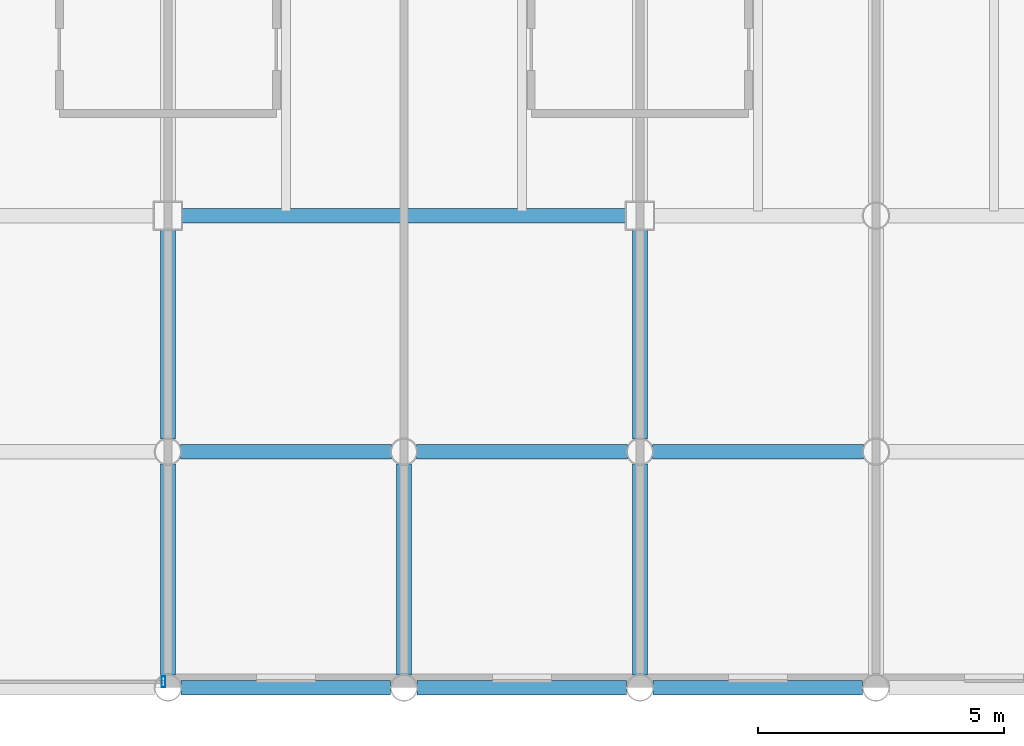
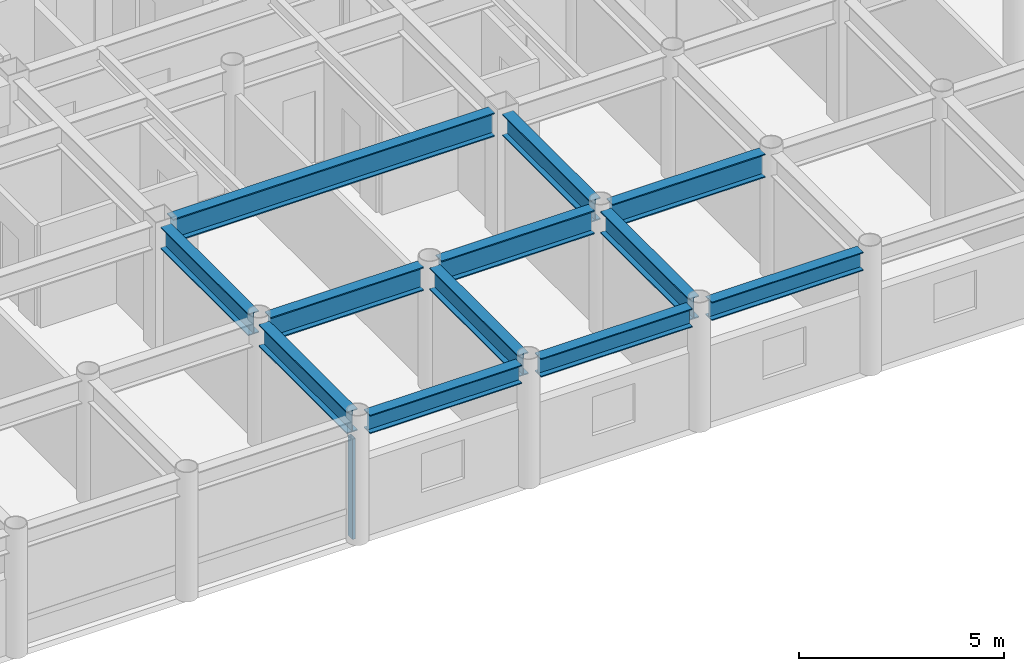
# One storey, part 8 of 23: 12 beams, 1 member, 1 element without a shape of its own.
"""IFC4 building model written with IfcOpenShell, lengths in metres."""

from ifc_helpers import new_model, si_unit, direction, frame, origin, origin_2d, place, context, subcontext, project, spatial, hollow_rectangle, i_section, extrude, material, layer, layer_set, material_profile, profile_set, type_object, element, aggregate, save


model = new_model("IFC4")

# Units and contexts
model_context = context("Model", 3, precision=1e-05, world=origin(), true_north=direction((0.0, 1.0)))
body_context = subcontext(model_context, "Body", "Model", "MODEL_VIEW")
ifc_project = project(units=[si_unit("LENGTHUNIT", "METRE"), si_unit("AREAUNIT", "SQUARE_METRE"), si_unit("VOLUMEUNIT", "CUBIC_METRE"), si_unit("PLANEANGLEUNIT", "RADIAN"), si_unit("MASSUNIT", "GRAM", prefix="KILO")], contexts=[model_context])

# Site, building, storey
site_placement = place(None, origin())
site = spatial("IfcSite", under=ifc_project, at=site_placement, CompositionType="ELEMENT")
building_placement = place(site_placement, origin())
building = spatial("IfcBuilding", under=site, at=building_placement, Name="Kallvorn Hotel Tower", CompositionType="ELEMENT")
storey_placement = place(building_placement, frame((0.0, 0.0, 195.35009765625)))
storey = spatial("IfcBuildingStorey", under=building, at=storey_placement, Name="L48", CompositionType="ELEMENT", Elevation=195.35009765625)

# Beams
ifc_material_1 = material(Name="Structural steel S355JR", Category="steel")
ifc_material_profile_1 = material_profile(ifc_material_1, i_section(OverallWidth=0.300048828125, OverallDepth=0.550048828125, WebThickness=0.014892578125, FlangeThickness=0.029052734375, at=origin_2d()), Name="HE 550 B")
ifc_profile_set_1 = profile_set([ifc_material_profile_1], Name="Structural steel S355JR")
beam_type_1 = type_object("IfcBeamType", Name="BM_HE550B", PredefinedType="SPANDREL", material=ifc_profile_set_1)
beam_1_placement = place(storey_placement, frame((5.069580078125, -24.0, 3.39501953125), z_axis=(1.0, 0.0, 0.0), x_axis=(0.0, 1.0, 0.0)))
element("IfcBeam", 1, at=beam_1_placement, inside=storey, type_object=beam_type_1, Name="L49 Perimeter Spandrel 157", PredefinedType="SPANDREL", context=body_context, shape_type="SweptSolid", body=[
    extrude(i_section(OverallWidth=0.300048828125, OverallDepth=0.550048828125, WebThickness=0.014892578125, FlangeThickness=0.029052734375, at=origin_2d()), origin(), (0.0, 0.0, 1.0), 4.260986328125),
])
beam_2_placement = place(storey_placement, frame((9.869384765625, -24.0, 3.39501953125), z_axis=(1.0, 0.0, 0.0), x_axis=(0.0, 1.0, 0.0)))
element("IfcBeam", 2, at=beam_2_placement, inside=storey, type_object=beam_type_1, Name="L49 Perimeter Spandrel 158", PredefinedType="SPANDREL", context=body_context, shape_type="SweptSolid", body=[
    extrude(i_section(OverallWidth=0.300048828125, OverallDepth=0.550048828125, WebThickness=0.014892578125, FlangeThickness=0.029052734375, at=origin_2d()), origin(), (0.0, 0.0, 1.0), 4.26123046875),
])
beam_3_placement = place(storey_placement, frame((14.66943359375, -24.0, 3.39501953125), z_axis=(1.0, 0.0, 0.0), x_axis=(0.0, 1.0, 0.0)))
element("IfcBeam", 3, at=beam_3_placement, inside=storey, type_object=beam_type_1, Name="L49 Perimeter Spandrel 159", PredefinedType="SPANDREL", context=body_context, shape_type="SweptSolid", body=[
    extrude(i_section(OverallWidth=0.300048828125, OverallDepth=0.550048828125, WebThickness=0.014892578125, FlangeThickness=0.029052734375, at=origin_2d()), origin(), (0.0, 0.0, 1.0), 4.260986328125),
])
ifc_material_2 = material(Name="Structural steel S355JR", Category="steel")
ifc_material_profile_2 = material_profile(ifc_material_2, i_section(OverallWidth=0.300048828125, OverallDepth=0.64990234375, WebThickness=0.01611328125, FlangeThickness=0.031005859375, at=origin_2d()), Name="HE 650 B")
ifc_profile_set_2 = profile_set([ifc_material_profile_2], Name="Structural steel S355JR")
beam_type_2 = type_object("IfcBeamType", Name="BM_HE650B", PredefinedType="BEAM", material=ifc_profile_set_2)
beam_4_placement = place(storey_placement, frame((4.800048828125, -23.74560546875, 3.344970703125), z_axis=(0.0, 1.0, 0.0), x_axis=(-1.0, 0.0, 0.0)))
element("IfcBeam", 4, at=beam_4_placement, inside=storey, type_object=beam_type_2, Name="L49 Primary Y-Girder 113", PredefinedType="BEAM", context=body_context, shape_type="SweptSolid", body=[
    extrude(i_section(OverallWidth=0.300048828125, OverallDepth=0.64990234375, WebThickness=0.01611328125, FlangeThickness=0.031005859375, at=origin_2d()), origin(), (0.0, 0.0, 1.0), 4.291015625),
])
beam_5_placement = place(storey_placement, frame((4.800048828125, -18.945556640625, 3.344970703125), z_axis=(0.0, 1.0, 0.0), x_axis=(-1.0, 0.0, 0.0)))
element("IfcBeam", 5, at=beam_5_placement, inside=storey, type_object=beam_type_2, Name="L49 Primary Y-Girder 114", PredefinedType="BEAM", context=body_context, shape_type="SweptSolid", body=[
    extrude(i_section(OverallWidth=0.300048828125, OverallDepth=0.64990234375, WebThickness=0.01611328125, FlangeThickness=0.031005859375, at=origin_2d()), origin(), (0.0, 0.0, 1.0), 4.2705078125),
])
for number, where, z_axis, x_axis, name in (
    (6, (9.60009765625, -23.74560546875, 3.344970703125), (0.0, 1.0, 0.0), (-1.0, 0.0, 0.0), "L49 Primary Y-Girder 118"),
    (7, (14.39990234375, -23.74560546875, 3.344970703125), (0.0, 1.0, 0.0), (-1.0, 0.0, 0.0), "L49 Primary Y-Girder 121"),
):
    element("IfcBeam", number, at=place(storey_placement, frame(where, z_axis=z_axis, x_axis=x_axis)), inside=storey, type_object=beam_type_2, Name=name, PredefinedType="BEAM", context=body_context, shape_type="SweptSolid", body=[
        extrude(i_section(OverallWidth=0.300048828125, OverallDepth=0.64990234375, WebThickness=0.01611328125, FlangeThickness=0.031005859375, at=origin_2d()), origin(), (0.0, 0.0, 1.0), 4.291015625),
    ])
beam_6_placement = place(storey_placement, frame((14.39990234375, -18.945556640625, 3.344970703125), z_axis=(0.0, 1.0, 0.0), x_axis=(-1.0, 0.0, 0.0)))
element("IfcBeam", 8, at=beam_6_placement, inside=storey, type_object=beam_type_2, Name="L49 Primary Y-Girder 122", PredefinedType="BEAM", context=body_context, shape_type="SweptSolid", body=[
    extrude(i_section(OverallWidth=0.300048828125, OverallDepth=0.64990234375, WebThickness=0.01611328125, FlangeThickness=0.031005859375, at=origin_2d()), origin(), (0.0, 0.0, 1.0), 4.2705078125),
])
ifc_material_3 = material(Name="Structural steel S355JR", Category="steel")
ifc_material_profile_3 = material_profile(ifc_material_3, i_section(OverallWidth=0.300048828125, OverallDepth=0.699951171875, WebThickness=0.01708984375, FlangeThickness=0.031982421875, at=origin_2d()), Name="HE 700 B")
ifc_profile_set_3 = profile_set([ifc_material_profile_3], Name="Structural steel S355JR")
beam_type_3 = type_object("IfcBeamType", Name="BM_HE700B", PredefinedType="BEAM", material=ifc_profile_set_3)
for number, where, z_axis, x_axis, name in (
    (9, (5.054443359375, -19.199951171875, 3.31982421875), (1.0, 0.0, 0.0), (0.0, 1.0, 0.0), "L49 Primary X-Girder 08"),
    (10, (9.8544921875, -19.199951171875, 3.31982421875), (1.0, 0.0, 0.0), (0.0, 1.0, 0.0), "L49 Primary X-Girder 09"),
    (11, (14.654541015625, -19.199951171875, 3.31982421875), (1.0, 0.0, 0.0), (0.0, 1.0, 0.0), "L49 Primary X-Girder 10"),
):
    element("IfcBeam", number, at=place(storey_placement, frame(where, z_axis=z_axis, x_axis=x_axis)), inside=storey, type_object=beam_type_3, Name=name, PredefinedType="BEAM", context=body_context, shape_type="SweptSolid", body=[
        extrude(i_section(OverallWidth=0.300048828125, OverallDepth=0.699951171875, WebThickness=0.01708984375, FlangeThickness=0.031982421875, at=origin_2d()), origin(), (0.0, 0.0, 1.0), 4.291015625),
    ])
beam_7_placement = place(storey_placement, frame((5.074951171875, -14.39990234375, 3.31982421875), z_axis=(1.0, 0.0, 0.0), x_axis=(0.0, 1.0, 0.0)))
element("IfcBeam", 12, at=beam_7_placement, inside=storey, type_object=beam_type_3, Name="L49 Primary X-Girder 19", PredefinedType="BEAM", context=body_context, shape_type="SweptSolid", body=[
    extrude(i_section(OverallWidth=0.300048828125, OverallDepth=0.699951171875, WebThickness=0.01708984375, FlangeThickness=0.031982421875, at=origin_2d()), origin(), (0.0, 0.0, 1.0), 9.050048828125),
])

# Curtain wall, member
ifc_material_4 = material(Name="Thermally broken black-anodised aluminium AA 6063-T6", Category="aluminium")
ifc_layer = layer(ifc_material_4, 0.22998046875)
ifc_layer_set = layer_set([ifc_layer], Name="CW_SYS_5_HOTEL_HIGH")
curtain_wall_type = type_object("IfcCurtainWallType", Name="CW_SYS_5_HOTEL_HIGH", PredefinedType="USERDEFINED", material=ifc_layer_set)
curtain_wall_placement = place(storey_placement, origin())
curtain_wall = element("IfcCurtainWall", 13, at=curtain_wall_placement, inside=storey, type_object=curtain_wall_type, Name="L48 Dark-Glass Curtain Wall CW-L48-SC", ObjectType="UNITISED CURTAIN WALL", PredefinedType="USERDEFINED")
ifc_material_5 = material(Name="Thermally broken black-anodised aluminium AA 6063-T6", Category="aluminium")
ifc_material_profile_4 = material_profile(ifc_material_5, hollow_rectangle(XDim=0.080078125, YDim=0.219970703125, WallThickness=0.0048828125, at=origin_2d()), Name="MUL 220x80")
ifc_profile_set_4 = profile_set([ifc_material_profile_4], Name="Thermally broken black-anodised aluminium AA 6063-T6")
member_type = type_object("IfcMemberType", Name="CW_MULLION_220x80", PredefinedType="MULLION", material=ifc_profile_set_4)
member_placement = place(storey_placement, frame((4.7099609375, -23.8798828125, 0.02001953125), z_axis=(0.0, 0.0, 1.0), x_axis=(1.0, 0.0, 0.0)))
member = element("IfcMember", 14, at=member_placement, type_object=member_type, Name="CW-L48-SC Mullion 02", PredefinedType="MULLION", context=body_context, shape_type="SweptSolid", body=[
    extrude(hollow_rectangle(XDim=0.080078125, YDim=0.219970703125, WallThickness=0.0048828125, at=origin_2d()), origin(), (0.0, 0.0, 1.0), 2.97998046875),
])
aggregate(curtain_wall, [member])

save(model, "model.ifc")
